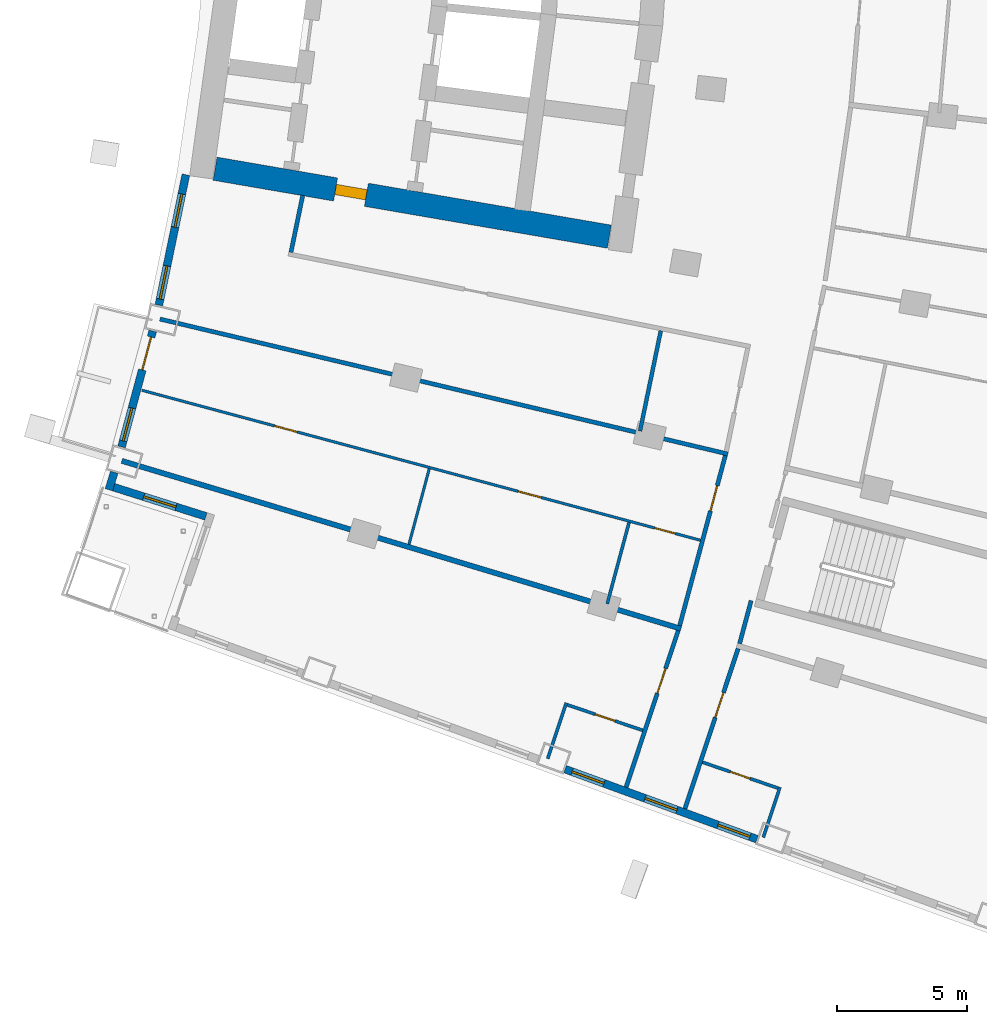
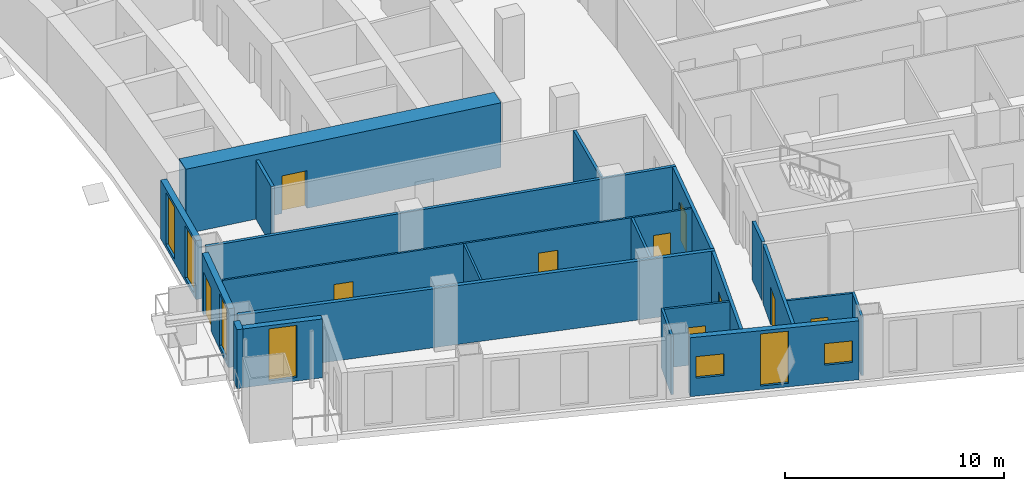
# One storey, part 13 of 25: 21 walls, 10 doors, 7 windows, 17 openings.
"""IFC4 building model written with IfcOpenShell, lengths in metres."""

from ifc_helpers import new_model, si_unit, direction, frame, frame_2d, origin, place, context, subcontext, project, spatial, rectangle, extrude, material, layer, layer_set, type_object, element, fill, save


model = new_model("IFC4")

# Units and contexts
model_context = context("Model", 3, precision=1e-05, world=origin(), true_north=direction((0.0, 1.0)))
body_context = subcontext(model_context, "Body", "Model", "MODEL_VIEW")
ifc_project = project(units=[si_unit("LENGTHUNIT", "METRE"), si_unit("AREAUNIT", "SQUARE_METRE"), si_unit("VOLUMEUNIT", "CUBIC_METRE"), si_unit("PLANEANGLEUNIT", "RADIAN"), si_unit("MASSUNIT", "GRAM", prefix="KILO")], contexts=[model_context])

# Site, building, storey
site_placement = place(None, origin())
site = spatial("IfcSite", under=ifc_project, at=site_placement, CompositionType="ELEMENT")
building_placement = place(site_placement, origin())
building = spatial("IfcBuilding", under=site, at=building_placement, Name="Alderwake Tower", CompositionType="ELEMENT")
storey_placement = place(building_placement, frame((0.0, 0.0, 60.800048828125)))
storey = spatial("IfcBuildingStorey", under=building, at=storey_placement, Name="L14", CompositionType="ELEMENT", Elevation=60.800048828125)

# Wall, opening, door
ifc_material_1 = material(Name="Concrete C70/85", Category="concrete")
ifc_layer_1 = layer(ifc_material_1, 0.89990234375)
ifc_layer_set_1 = layer_set([ifc_layer_1], Name="Core wall outer 900 C70-85")
wall_type_1 = type_object("IfcWallType", Name="Core wall outer 900 C70-85", PredefinedType="SHEAR", material=ifc_layer_set_1)
wall_1_placement = place(storey_placement, frame((31.11328125, 41.846923828125, 0.0), z_axis=(0.0, 0.0, 1.0), x_axis=(-0.985466640605, 0.169869067972, 0.0)))
wall_1 = element("IfcWall", 1, at=wall_1_placement, inside=storey, type_object=wall_type_1, Name="Core wall CW.070", PredefinedType="SHEAR", context=body_context, shape_type="SweptSolid", body=[
    extrude(rectangle(XDim=15.336669921875, YDim=0.89990234375, at=frame_2d((7.66845703125, 0.0))), origin(), (0.0, 0.0, 1.0), 3.599853515625),
])
opening_1_placement = place(wall_1_placement, frame((9.451904296875, 0.0, 0.0)))
opening_1 = element("IfcOpeningElement", 2, at=opening_1_placement, cuts=wall_1, Name="Opening C003", PredefinedType="OPENING", context=body_context, shape_type="SweptSolid", body=[
    extrude(rectangle(XDim=1.199951171875, YDim=2.10009765625, at=frame_2d((0.60009765625, 1.050048828125))), frame((0.0, 0.4599609375, 0.0), z_axis=(0.0, -1.0, 0.0), x_axis=(1.0, 0.0, 0.0)), (0.0, 0.0, 1.0), 0.919921875),
])
ifc_material_2 = material(Name="Steel-framed fire door leaf", Category="steel")
door_type_1 = type_object("IfcDoorType", Name="Core lobby exit door 1200 fire-rated", OperationType="SINGLE_SWING_LEFT", PredefinedType="DOOR", material=ifc_material_2)
door_1_placement = place(opening_1_placement, origin())
door_1 = element("IfcDoor", 3, at=door_1_placement, inside=storey, type_object=door_type_1, Name="Lobby door", OperationType="SINGLE_SWING_LEFT", OverallHeight=2.10009765625, OverallWidth=1.199951171875, PredefinedType="DOOR", context=body_context, shape_type="SweptSolid", body=[
    extrude(rectangle(XDim=1.199951171875, YDim=2.10009765625, at=frame_2d((0.60009765625, 1.050048828125))), frame((0.0, 0.199951171875, 0.0), z_axis=(0.0, -1.0, 0.0), x_axis=(1.0, 0.0, 0.0)), (0.0, 0.0, 1.0), 0.39990234375),
])
fill(opening_1, door_1)

# Walls
ifc_material_3 = material(Name="Gypsum board on metal studs, rated")
ifc_layer_2 = layer(ifc_material_3, 0.159912109375)
ifc_layer_set_2 = layer_set([ifc_layer_2], Name="Corridor wall 160")
wall_type_2 = type_object("IfcWallType", Name="Corridor wall 160", PredefinedType="PARTITIONING", material=ifc_layer_set_2)
wall_2_placement = place(storey_placement, frame((13.884033203125, 38.68798828125, 0.0), z_axis=(0.0, 0.0, 1.0), x_axis=(0.972893462073, -0.231253781493, 0.0)))
element("IfcWall", 4, at=wall_2_placement, inside=storey, type_object=wall_type_2, Name="WL/L14/W13", PredefinedType="PARTITIONING", context=body_context, shape_type="SweptSolid", body=[
    extrude(rectangle(XDim=22.38037109375, YDim=0.159912109375, at=frame_2d((11.190185546875, 0.0))), origin(), (0.0, 0.0, 1.0), 3.280029296875),
])
wall_3_placement = place(storey_placement, frame((19.35888671875, 43.430908203125, 0.0), z_axis=(0.0, 0.0, 1.0), x_axis=(-0.202554916658, -0.979270905183, 0.0)))
element("IfcWall", 5, at=wall_3_placement, inside=storey, type_object=wall_type_2, Name="WL/L14/W16", PredefinedType="PARTITIONING", context=body_context, shape_type="SweptSolid", body=[
    extrude(rectangle(XDim=2.229736328125, YDim=0.159912109375, at=frame_2d((1.11474609375, 0.0))), origin(), (0.0, 0.0, 1.0), 3.280029296875),
])

# Wall, opening, door
wall_4_placement = place(storey_placement, frame((31.7548828125, 20.739013671875, 0.0), z_axis=(0.0, 0.0, 1.0), x_axis=(0.31554473692, 0.948910701279, 0.0)))
wall_4 = element("IfcWall", 6, at=wall_4_placement, inside=storey, type_object=wall_type_2, Name="WL/L14/W18", PredefinedType="PARTITIONING", context=body_context, shape_type="SweptSolid", body=[
    extrude(rectangle(XDim=6.327392578125, YDim=0.159912109375, at=frame_2d((3.16357421875, 0.0))), origin(), (0.0, 0.0, 1.0), 3.280029296875),
])
opening_2_placement = place(wall_4_placement, frame((3.799072265625, 0.0, 0.0)))
opening_2 = element("IfcOpeningElement", 7, at=opening_2_placement, cuts=wall_4, Name="Opening R03-U09.1", PredefinedType="OPENING", context=body_context, shape_type="SweptSolid", body=[
    extrude(rectangle(XDim=1.0, YDim=2.10009765625, at=frame_2d((0.5, 1.050048828125))), frame((0.0, 0.08984375, 0.0), z_axis=(0.0, -1.0, 0.0), x_axis=(1.0, 0.0, 0.0)), (0.0, 0.0, 1.0), 0.179931640625),
])
ifc_material_4 = material(Name="Solid timber leaf in steel frame", Category="steel")
door_type_2 = type_object("IfcDoorType", Name="Flat entrance door 1000 fire-rated", OperationType="SINGLE_SWING_LEFT", PredefinedType="DOOR", material=ifc_material_4)
door_2_placement = place(opening_2_placement, origin())
door_2 = element("IfcDoor", 8, at=door_2_placement, inside=storey, type_object=door_type_2, Name="DR/L14/U09.1", OperationType="SINGLE_SWING_LEFT", OverallHeight=2.10009765625, OverallWidth=1.0, PredefinedType="DOOR", context=body_context, shape_type="SweptSolid", body=[
    extrude(rectangle(XDim=1.0, YDim=2.10009765625, at=frame_2d((0.5, 1.050048828125))), frame((0.0, 0.02490234375, 0.0), z_axis=(0.0, -1.0, 0.0), x_axis=(1.0, 0.0, 0.0)), (0.0, 0.0, 1.0), 0.050048828125),
])
fill(opening_2, door_2)

wall_5_placement = place(storey_placement, frame((33.808837890625, 26.9345703125, 0.0), z_axis=(0.0, 0.0, 1.0), x_axis=(0.259298911818, 0.965797118618, 0.0)))
wall_5 = element("IfcWall", 9, at=wall_5_placement, inside=storey, type_object=wall_type_2, Name="WL/L14/W19", PredefinedType="PARTITIONING", context=body_context, shape_type="SweptSolid", body=[
    extrude(rectangle(XDim=6.75, YDim=0.159912109375, at=frame_2d((3.375, 0.0))), origin(), (0.0, 0.0, 1.0), 3.280029296875),
])
opening_3_placement = place(wall_5_placement, frame((4.5576171875, 0.0, 0.0)))
opening_3 = element("IfcOpeningElement", 10, at=opening_3_placement, cuts=wall_5, Name="Opening R03-U10.2", PredefinedType="OPENING", context=body_context, shape_type="SweptSolid", body=[
    extrude(rectangle(XDim=1.0, YDim=2.10009765625, at=frame_2d((0.5, 1.050048828125))), frame((0.0, 0.08984375, 0.0), z_axis=(0.0, -1.0, 0.0), x_axis=(1.0, 0.0, 0.0)), (0.0, 0.0, 1.0), 0.179931640625),
])
door_3_placement = place(opening_3_placement, origin())
door_3 = element("IfcDoor", 11, at=door_3_placement, inside=storey, type_object=door_type_2, Name="DR/L14/U10.2", OperationType="SINGLE_SWING_LEFT", OverallHeight=2.10009765625, OverallWidth=1.0, PredefinedType="DOOR", context=body_context, shape_type="SweptSolid", body=[
    extrude(rectangle(XDim=1.0, YDim=2.10009765625, at=frame_2d((0.5, 1.050048828125))), frame((0.0, 0.02490234375, 0.0), z_axis=(0.0, -1.0, 0.0), x_axis=(1.0, 0.0, 0.0)), (0.0, 0.0, 1.0), 0.050048828125),
])
fill(opening_3, door_3)

wall_6_placement = place(storey_placement, frame((36.049560546875, 26.052978515625, 0.0), z_axis=(0.0, 0.0, 1.0), x_axis=(-0.315151894598, -0.949041244273, 0.0)))
wall_6 = element("IfcWall", 12, at=wall_6_placement, inside=storey, type_object=wall_type_2, Name="WL/L14/W21", PredefinedType="PARTITIONING", context=body_context, shape_type="SweptSolid", body=[
    extrude(rectangle(XDim=6.468505859375, YDim=0.159912109375, at=frame_2d((3.234375, 0.0))), origin(), (0.0, 0.0, 1.0), 3.280029296875),
])
opening_4_placement = place(wall_6_placement, frame((1.7822265625, 0.0, 0.0)))
opening_4 = element("IfcOpeningElement", 13, at=opening_4_placement, cuts=wall_6, Name="Opening R03-U03.1", PredefinedType="OPENING", context=body_context, shape_type="SweptSolid", body=[
    extrude(rectangle(XDim=1.0, YDim=2.10009765625, at=frame_2d((0.5, 1.050048828125))), frame((0.0, 0.08984375, 0.0), z_axis=(0.0, -1.0, 0.0), x_axis=(1.0, 0.0, 0.0)), (0.0, 0.0, 1.0), 0.179931640625),
])
door_4_placement = place(opening_4_placement, origin())
door_4 = element("IfcDoor", 14, at=door_4_placement, inside=storey, type_object=door_type_2, Name="DR/L14/U03.1", OperationType="SINGLE_SWING_LEFT", OverallHeight=2.10009765625, OverallWidth=1.0, PredefinedType="DOOR", context=body_context, shape_type="SweptSolid", body=[
    extrude(rectangle(XDim=1.0, YDim=2.10009765625, at=frame_2d((0.5, 1.050048828125))), frame((0.0, 0.02490234375, 0.0), z_axis=(0.0, -1.0, 0.0), x_axis=(1.0, 0.0, 0.0)), (0.0, 0.0, 1.0), 0.050048828125),
])
fill(opening_4, door_4)

# Walls
wall_7_placement = place(storey_placement, frame((36.10693359375, 26.24462890625, 0.0), z_axis=(0.0, 0.0, 1.0), x_axis=(0.259346865847, 0.965784242559, 0.0)))
element("IfcWall", 15, at=wall_7_placement, inside=storey, type_object=wall_type_2, Name="WL/L14/W24", PredefinedType="PARTITIONING", context=body_context, shape_type="SweptSolid", body=[
    extrude(rectangle(XDim=1.704833984375, YDim=0.159912109375, at=frame_2d((0.8525390625, 0.0))), origin(), (0.0, 0.0, 1.0), 3.280029296875),
])
ifc_material_5 = material(Name="Precast concrete C50/60 spandrel panel", Category="concrete")
ifc_layer_3 = layer(ifc_material_5, 0.300048828125)
ifc_layer_set_3 = layer_set([ifc_layer_3], Name="External wall EW1 Precast concrete C50/60 spandrel")
wall_type_3 = type_object("IfcWallType", Name="External wall EW1 Precast concrete C50/60 spandrel", PredefinedType="SOLIDWALL", material=ifc_layer_set_3)
wall_8_placement = place(storey_placement, frame((12.1328125, 32.814453125, 0.0), z_axis=(0.0, 0.0, 1.0), x_axis=(-0.294671831364, -0.955598509731, 0.0)))
element("IfcWall", 16, at=wall_8_placement, inside=storey, type_object=wall_type_3, Name="External wall 1", PredefinedType="SOLIDWALL", context=body_context, shape_type="SweptSolid", body=[
    extrude(rectangle(XDim=0.70263671875, YDim=0.300048828125, at=frame_2d((0.351318359375, 0.0))), origin(), (0.0, 0.0, 1.0), 3.280029296875),
])

# Wall, openings, windows
wall_9_placement = place(storey_placement, frame((14.878173828125, 44.223388671875, 0.0), z_axis=(0.0, 0.0, 1.0), x_axis=(-0.202738354746, -0.979232944459, 0.0)))
wall_9 = element("IfcWall", 17, at=wall_9_placement, inside=storey, type_object=wall_type_3, Name="External wall 35", PredefinedType="SOLIDWALL", context=body_context, shape_type="SweptSolid", body=[
    extrude(rectangle(XDim=5.1083984375, YDim=0.300048828125, at=frame_2d((2.55419921875, 0.0))), origin(), (0.0, 0.0, 1.0), 3.280029296875),
])
opening_5_placement = place(wall_9_placement, frame((0.75634765625, 0.0, 0.199951171875)))
opening_5 = element("IfcOpeningElement", 18, at=opening_5_placement, cuts=wall_9, Name="Opening W1", PredefinedType="OPENING", context=body_context, shape_type="SweptSolid", body=[
    extrude(rectangle(XDim=1.300048828125, YDim=2.89990234375, at=frame_2d((0.64990234375, 1.449951171875))), frame((0.0, 0.159912109375, 0.0), z_axis=(0.0, -1.0, 0.0), x_axis=(1.0, 0.0, 0.0)), (0.0, 0.0, 1.0), 0.320068359375),
])
opening_6_placement = place(wall_9_placement, frame((3.569091796875, 0.0, 0.199951171875)))
opening_6 = element("IfcOpeningElement", 19, at=opening_6_placement, cuts=wall_9, Name="Opening W1", PredefinedType="OPENING", context=body_context, shape_type="SweptSolid", body=[
    extrude(rectangle(XDim=1.300048828125, YDim=2.89990234375, at=frame_2d((0.64990234375, 1.449951171875))), frame((0.0, 0.159912109375, 0.0), z_axis=(0.0, -1.0, 0.0), x_axis=(1.0, 0.0, 0.0)), (0.0, 0.0, 1.0), 0.320068359375),
])
ifc_material_6 = material(Name="Bronze tinted glass in aluminium frame", Category="aluminium")
window_type_1 = type_object("IfcWindowType", Name="Window W1 tall fixed and vent", PartitioningType="DOUBLE_PANEL_VERTICAL", PredefinedType="WINDOW", material=ifc_material_6)
window_1_placement = place(opening_5_placement, origin())
window_1 = element("IfcWindow", 20, at=window_1_placement, inside=storey, type_object=window_type_1, Name="Window W1 tall fixed and vent", OverallHeight=2.89990234375, OverallWidth=1.300048828125, PartitioningType="DOUBLE_PANEL_VERTICAL", PredefinedType="WINDOW", context=body_context, shape_type="SweptSolid", body=[
    extrude(rectangle(XDim=1.300048828125, YDim=2.89990234375, at=frame_2d((0.64990234375, 1.449951171875))), frame((0.0, 0.030029296875, 0.0), z_axis=(0.0, -1.0, 0.0), x_axis=(1.0, 0.0, 0.0)), (0.0, 0.0, 1.0), 0.06005859375),
])
fill(opening_5, window_1)
window_2_placement = place(opening_6_placement, origin())
window_2 = element("IfcWindow", 21, at=window_2_placement, inside=storey, type_object=window_type_1, Name="Window W1 tall fixed and vent", OverallHeight=2.89990234375, OverallWidth=1.300048828125, PartitioningType="DOUBLE_PANEL_VERTICAL", PredefinedType="WINDOW", context=body_context, shape_type="SweptSolid", body=[
    extrude(rectangle(XDim=1.300048828125, YDim=2.89990234375, at=frame_2d((0.64990234375, 1.449951171875))), frame((0.0, 0.030029296875, 0.0), z_axis=(0.0, -1.0, 0.0), x_axis=(1.0, 0.0, 0.0)), (0.0, 0.0, 1.0), 0.06005859375),
])
fill(opening_6, window_2)

# Wall, openings, door, window
wall_10_placement = place(storey_placement, frame((13.606689453125, 38.229248046875, 0.0), z_axis=(0.0, 0.0, 1.0), x_axis=(-0.259495671332, -0.965744270788, 0.0)))
wall_10 = element("IfcWall", 22, at=wall_10_placement, inside=storey, type_object=wall_type_3, Name="External wall 36", PredefinedType="SOLIDWALL", context=body_context, shape_type="SweptSolid", body=[
    extrude(rectangle(XDim=4.599609375, YDim=0.300048828125, at=frame_2d((2.2998046875, 0.0))), origin(), (0.0, 0.0, 1.0), 3.280029296875),
])
opening_7_placement = place(wall_10_placement, frame((0.2412109375, 0.0, 0.0)))
opening_7 = element("IfcOpeningElement", 23, at=opening_7_placement, cuts=wall_10, Name="Opening D15", PredefinedType="OPENING", context=body_context, shape_type="SweptSolid", body=[
    extrude(rectangle(XDim=1.300048828125, YDim=2.39990234375, at=frame_2d((0.64990234375, 1.199951171875))), frame((0.0, 0.159912109375, 0.0), z_axis=(0.0, -1.0, 0.0), x_axis=(1.0, 0.0, 0.0)), (0.0, 0.0, 1.0), 0.320068359375),
])
opening_8_placement = place(wall_10_placement, frame((3.058349609375, 0.0, 0.199951171875)))
opening_8 = element("IfcOpeningElement", 24, at=opening_8_placement, cuts=wall_10, Name="Opening W1", PredefinedType="OPENING", context=body_context, shape_type="SweptSolid", body=[
    extrude(rectangle(XDim=1.300048828125, YDim=2.89990234375, at=frame_2d((0.64990234375, 1.449951171875))), frame((0.0, 0.159912109375, 0.0), z_axis=(0.0, -1.0, 0.0), x_axis=(1.0, 0.0, 0.0)), (0.0, 0.0, 1.0), 0.320068359375),
])
ifc_material_7 = material(Name="Bronze tinted glass in aluminium frame", Category="aluminium")
door_type_3 = type_object("IfcDoorType", Name="Balcony door BD sliding", OperationType="SLIDING_TO_LEFT", PredefinedType="DOOR", material=ifc_material_7)
door_5_placement = place(opening_7_placement, origin())
door_5 = element("IfcDoor", 25, at=door_5_placement, inside=storey, type_object=door_type_3, Name="Door D15", OperationType="SLIDING_TO_LEFT", OverallHeight=2.39990234375, OverallWidth=1.300048828125, PredefinedType="DOOR", context=body_context, shape_type="SweptSolid", body=[
    extrude(rectangle(XDim=1.300048828125, YDim=2.39990234375, at=frame_2d((0.64990234375, 1.199951171875))), frame((0.0, 0.02490234375, 0.0), z_axis=(0.0, -1.0, 0.0), x_axis=(1.0, 0.0, 0.0)), (0.0, 0.0, 1.0), 0.050048828125),
])
fill(opening_7, door_5)
window_3_placement = place(opening_8_placement, origin())
window_3 = element("IfcWindow", 26, at=window_3_placement, inside=storey, type_object=window_type_1, Name="Window W1 tall fixed and vent", OverallHeight=2.89990234375, OverallWidth=1.300048828125, PartitioningType="DOUBLE_PANEL_VERTICAL", PredefinedType="WINDOW", context=body_context, shape_type="SweptSolid", body=[
    extrude(rectangle(XDim=1.300048828125, YDim=2.89990234375, at=frame_2d((0.64990234375, 1.449951171875))), frame((0.0, 0.030029296875, 0.0), z_axis=(0.0, -1.0, 0.0), x_axis=(1.0, 0.0, 0.0)), (0.0, 0.0, 1.0), 0.06005859375),
])
fill(opening_8, window_3)

# Wall, opening, window
ifc_material_8 = material(Name="Bronze metal cladding on lightweight framing")
ifc_layer_4 = layer(ifc_material_8, 0.300048828125)
ifc_layer_set_4 = layer_set([ifc_layer_4], Name="External wall EW2 bronze metal cladding")
wall_type_4 = type_object("IfcWallType", Name="External wall EW2 bronze metal cladding", PredefinedType="SOLIDWALL", material=ifc_layer_set_4)
wall_11_placement = place(storey_placement, frame((12.113037109375, 32.2412109375, 0.0), z_axis=(0.0, 0.0, 1.0), x_axis=(0.953458128271, -0.301525451054, 0.0)))
wall_11 = element("IfcWall", 27, at=wall_11_placement, inside=storey, type_object=wall_type_4, Name="External wall 2", PredefinedType="SOLIDWALL", context=body_context, shape_type="SweptSolid", body=[
    extrude(rectangle(XDim=3.705810546875, YDim=0.300048828125, at=frame_2d((1.85302734375, 0.0))), origin(), (0.0, 0.0, 1.0), 3.280029296875),
])
opening_9_placement = place(wall_11_placement, frame((1.202880859375, 0.0, 0.199951171875)))
opening_9 = element("IfcOpeningElement", 28, at=opening_9_placement, cuts=wall_11, Name="Opening W1", PredefinedType="OPENING", context=body_context, shape_type="SweptSolid", body=[
    extrude(rectangle(XDim=1.300048828125, YDim=2.89990234375, at=frame_2d((0.64990234375, 1.449951171875))), frame((0.0, 0.159912109375, 0.0), z_axis=(0.0, -1.0, 0.0), x_axis=(1.0, 0.0, 0.0)), (0.0, 0.0, 1.0), 0.320068359375),
])
window_4_placement = place(opening_9_placement, origin())
window_4 = element("IfcWindow", 29, at=window_4_placement, inside=storey, type_object=window_type_1, Name="Window W1 tall fixed and vent", OverallHeight=2.89990234375, OverallWidth=1.300048828125, PartitioningType="DOUBLE_PANEL_VERTICAL", PredefinedType="WINDOW", context=body_context, shape_type="SweptSolid", body=[
    extrude(rectangle(XDim=1.300048828125, YDim=2.89990234375, at=frame_2d((0.64990234375, 1.449951171875))), frame((0.0, 0.030029296875, 0.0), z_axis=(0.0, -1.0, 0.0), x_axis=(1.0, 0.0, 0.0)), (0.0, 0.0, 1.0), 0.06005859375),
])
fill(opening_9, window_4)

# Wall, openings, windows
wall_12_placement = place(storey_placement, frame((29.416748046875, 21.432373046875, 0.0), z_axis=(0.0, 0.0, 1.0), x_axis=(0.939370235271, -0.34290459473, 0.0)))
wall_12 = element("IfcWall", 30, at=wall_12_placement, inside=storey, type_object=wall_type_4, Name="External wall 6", PredefinedType="SOLIDWALL", context=body_context, shape_type="SweptSolid", body=[
    extrude(rectangle(XDim=7.828857421875, YDim=0.300048828125, at=frame_2d((3.91455078125, 0.0))), origin(), (0.0, 0.0, 1.0), 3.280029296875),
])
opening_10_placement = place(wall_12_placement, frame((0.28662109375, 0.0, 1.0)))
opening_10 = element("IfcOpeningElement", 31, at=opening_10_placement, cuts=wall_12, Name="Opening W2", PredefinedType="OPENING", context=body_context, shape_type="SweptSolid", body=[
    extrude(rectangle(XDim=1.300048828125, YDim=1.199951171875, at=frame_2d((0.64990234375, 0.60009765625))), frame((0.0, 0.159912109375, 0.0), z_axis=(0.0, -1.0, 0.0), x_axis=(1.0, 0.0, 0.0)), (0.0, 0.0, 1.0), 0.320068359375),
])
opening_11_placement = place(wall_12_placement, frame((3.264404296875, 0.0, 0.199951171875)))
opening_11 = element("IfcOpeningElement", 32, at=opening_11_placement, cuts=wall_12, Name="Opening W1", PredefinedType="OPENING", context=body_context, shape_type="SweptSolid", body=[
    extrude(rectangle(XDim=1.300048828125, YDim=2.89990234375, at=frame_2d((0.64990234375, 1.449951171875))), frame((0.0, 0.159912109375, 0.0), z_axis=(0.0, -1.0, 0.0), x_axis=(1.0, 0.0, 0.0)), (0.0, 0.0, 1.0), 0.320068359375),
])
opening_12_placement = place(wall_12_placement, frame((6.2421875, 0.0, 1.0)))
opening_12 = element("IfcOpeningElement", 33, at=opening_12_placement, cuts=wall_12, Name="Opening W2", PredefinedType="OPENING", context=body_context, shape_type="SweptSolid", body=[
    extrude(rectangle(XDim=1.300048828125, YDim=1.199951171875, at=frame_2d((0.64990234375, 0.60009765625))), frame((0.0, 0.159912109375, 0.0), z_axis=(0.0, -1.0, 0.0), x_axis=(1.0, 0.0, 0.0)), (0.0, 0.0, 1.0), 0.320068359375),
])
window_5_placement = place(opening_11_placement, origin())
window_5 = element("IfcWindow", 34, at=window_5_placement, inside=storey, type_object=window_type_1, Name="Window W1 tall fixed and vent", OverallHeight=2.89990234375, OverallWidth=1.300048828125, PartitioningType="DOUBLE_PANEL_VERTICAL", PredefinedType="WINDOW", context=body_context, shape_type="SweptSolid", body=[
    extrude(rectangle(XDim=1.300048828125, YDim=2.89990234375, at=frame_2d((0.64990234375, 1.449951171875))), frame((0.0, 0.030029296875, 0.0), z_axis=(0.0, -1.0, 0.0), x_axis=(1.0, 0.0, 0.0)), (0.0, 0.0, 1.0), 0.06005859375),
])
fill(opening_11, window_5)
ifc_material_9 = material(Name="Bronze tinted glass in aluminium frame", Category="aluminium")
window_type_2 = type_object("IfcWindowType", Name="Window W2 kitchen and bath", PartitioningType="SINGLE_PANEL", PredefinedType="WINDOW", material=ifc_material_9)
window_6_placement = place(opening_10_placement, origin())
window_6 = element("IfcWindow", 35, at=window_6_placement, inside=storey, type_object=window_type_2, Name="Window W2 kitchen and bath", OverallHeight=1.199951171875, OverallWidth=1.300048828125, PartitioningType="SINGLE_PANEL", PredefinedType="WINDOW", context=body_context, shape_type="SweptSolid", body=[
    extrude(rectangle(XDim=1.300048828125, YDim=1.199951171875, at=frame_2d((0.64990234375, 0.60009765625))), frame((0.0, 0.030029296875, 0.0), z_axis=(0.0, -1.0, 0.0), x_axis=(1.0, 0.0, 0.0)), (0.0, 0.0, 1.0), 0.06005859375),
])
fill(opening_10, window_6)
window_7_placement = place(opening_12_placement, origin())
window_7 = element("IfcWindow", 36, at=window_7_placement, inside=storey, type_object=window_type_2, Name="Window W2 kitchen and bath", OverallHeight=1.199951171875, OverallWidth=1.300048828125, PartitioningType="SINGLE_PANEL", PredefinedType="WINDOW", context=body_context, shape_type="SweptSolid", body=[
    extrude(rectangle(XDim=1.300048828125, YDim=1.199951171875, at=frame_2d((0.64990234375, 0.60009765625))), frame((0.0, 0.030029296875, 0.0), z_axis=(0.0, -1.0, 0.0), x_axis=(1.0, 0.0, 0.0)), (0.0, 0.0, 1.0), 0.06005859375),
])
fill(opening_12, window_7)

# Walls
ifc_material_10 = material(Name="Dense block masonry wall", Category="masonry")
ifc_layer_5 = layer(ifc_material_10, 0.199951171875)
ifc_layer_set_5 = layer_set([ifc_layer_5], Name="Party wall 200")
wall_type_5 = type_object("IfcWallType", Name="Party wall 200", PredefinedType="SOLIDWALL", material=ifc_layer_set_5)
wall_13_placement = place(storey_placement, frame((33.859619140625, 26.81494140625, 0.0), z_axis=(0.0, 0.0, 1.0), x_axis=(-0.95775179957, 0.287596054251, 0.0)))
element("IfcWall", 37, at=wall_13_placement, inside=storey, type_object=wall_type_5, Name="WL/L14/W01", PredefinedType="SOLIDWALL", context=body_context, shape_type="SweptSolid", body=[
    extrude(rectangle(XDim=22.382080078125, YDim=0.199951171875, at=frame_2d((11.19091796875, 0.0))), origin(), (0.0, 0.0, 1.0), 3.280029296875),
])
ifc_material_11 = material(Name="Gypsum shaft wall system, rated")
ifc_layer_6 = layer(ifc_material_11, 0.14990234375)
ifc_layer_set_6 = layer_set([ifc_layer_6], Name="Riser and shaft wall 150")
wall_type_6 = type_object("IfcWallType", Name="Riser and shaft wall 150", PredefinedType="PARTITIONING", material=ifc_layer_set_6)
wall_14_placement = place(storey_placement, frame((32.290283203125, 34.3955078125, 0.0), z_axis=(0.0, 0.0, 1.0), x_axis=(0.202568596204, 0.979268075571, 0.0)))
element("IfcWall", 38, at=wall_14_placement, inside=storey, type_object=wall_type_6, Name="WL/L14/W09", PredefinedType="PARTITIONING", context=body_context, shape_type="SweptSolid", body=[
    extrude(rectangle(XDim=3.926513671875, YDim=0.14990234375, at=frame_2d((1.96337890625, 0.0))), origin(), (0.0, 0.0, 1.0), 3.280029296875),
])

# Wall, openings, doors
ifc_material_12 = material(Name="Gypsum board on metal studs")
ifc_layer_7 = layer(ifc_material_12, 0.10009765625)
ifc_layer_set_7 = layer_set([ifc_layer_7], Name="Unit partition 100")
wall_type_7 = type_object("IfcWallType", Name="Unit partition 100", PredefinedType="PARTITIONING", material=ifc_layer_set_7)
wall_15_placement = place(storey_placement, frame((34.605712890625, 30.206787109375, 0.0), z_axis=(0.0, 0.0, 1.0), x_axis=(-0.965767846078, 0.259407917152, 0.0)))
wall_15 = element("IfcWall", 39, at=wall_15_placement, inside=storey, type_object=wall_type_7, Name="WL/L14/W64", PredefinedType="PARTITIONING", context=body_context, shape_type="SweptSolid", body=[
    extrude(rectangle(XDim=22.170654296875, YDim=0.10009765625, at=frame_2d((11.08544921875, 0.0))), origin(), (0.0, 0.0, 1.0), 3.280029296875),
])
opening_13_placement = place(wall_15_placement, frame((6.335205078125, 0.0, 0.0)))
opening_13 = element("IfcOpeningElement", 40, at=opening_13_placement, cuts=wall_15, Name="Opening R03-U10.1", PredefinedType="OPENING", context=body_context, shape_type="SweptSolid", body=[
    extrude(rectangle(XDim=0.89990234375, YDim=2.10009765625, at=frame_2d((0.449951171875, 1.050048828125))), frame((0.0, 0.06005859375, 0.0), z_axis=(0.0, -1.0, 0.0), x_axis=(1.0, 0.0, 0.0)), (0.0, 0.0, 1.0), 0.1201171875),
])
opening_14_placement = place(wall_15_placement, frame((1.010009765625, 0.0, 0.0)))
opening_14 = element("IfcOpeningElement", 41, at=opening_14_placement, cuts=wall_15, Name="Opening R03-U10.3", PredefinedType="OPENING", context=body_context, shape_type="SweptSolid", body=[
    extrude(rectangle(XDim=0.800048828125, YDim=2.10009765625, at=frame_2d((0.39990234375, 1.050048828125))), frame((0.0, 0.06005859375, 0.0), z_axis=(0.0, -1.0, 0.0), x_axis=(1.0, 0.0, 0.0)), (0.0, 0.0, 1.0), 0.1201171875),
])
opening_15_placement = place(wall_15_placement, frame((16.010498046875, 0.0, 0.0)))
opening_15 = element("IfcOpeningElement", 42, at=opening_15_placement, cuts=wall_15, Name="Opening R03-U10.4", PredefinedType="OPENING", context=body_context, shape_type="SweptSolid", body=[
    extrude(rectangle(XDim=0.89990234375, YDim=2.10009765625, at=frame_2d((0.449951171875, 1.050048828125))), frame((0.0, 0.06005859375, 0.0), z_axis=(0.0, -1.0, 0.0), x_axis=(1.0, 0.0, 0.0)), (0.0, 0.0, 1.0), 0.1201171875),
])
ifc_material_13 = material(Name="Painted timber leaf", Category="wood")
door_type_4 = type_object("IfcDoorType", Name="Bathroom door 800", OperationType="SINGLE_SWING_LEFT", PredefinedType="DOOR", material=ifc_material_13)
door_6_placement = place(opening_14_placement, origin())
door_6 = element("IfcDoor", 43, at=door_6_placement, inside=storey, type_object=door_type_4, Name="DR/L14/U10.3", OperationType="SINGLE_SWING_LEFT", OverallHeight=2.10009765625, OverallWidth=0.800048828125, PredefinedType="DOOR", context=body_context, shape_type="SweptSolid", body=[
    extrude(rectangle(XDim=0.800048828125, YDim=2.10009765625, at=frame_2d((0.39990234375, 1.050048828125))), frame((0.0, 0.02490234375, 0.0), z_axis=(0.0, -1.0, 0.0), x_axis=(1.0, 0.0, 0.0)), (0.0, 0.0, 1.0), 0.050048828125),
])
fill(opening_14, door_6)
ifc_material_14 = material(Name="Painted timber leaf", Category="wood")
door_type_5 = type_object("IfcDoorType", Name="Room door 900", OperationType="SINGLE_SWING_LEFT", PredefinedType="DOOR", material=ifc_material_14)
door_7_placement = place(opening_13_placement, origin())
door_7 = element("IfcDoor", 44, at=door_7_placement, inside=storey, type_object=door_type_5, Name="DR/L14/U10.1", OperationType="SINGLE_SWING_LEFT", OverallHeight=2.10009765625, OverallWidth=0.89990234375, PredefinedType="DOOR", context=body_context, shape_type="SweptSolid", body=[
    extrude(rectangle(XDim=0.89990234375, YDim=2.10009765625, at=frame_2d((0.449951171875, 1.050048828125))), frame((0.0, 0.02490234375, 0.0), z_axis=(0.0, -1.0, 0.0), x_axis=(1.0, 0.0, 0.0)), (0.0, 0.0, 1.0), 0.050048828125),
])
fill(opening_13, door_7)
door_8_placement = place(opening_15_placement, origin())
door_8 = element("IfcDoor", 45, at=door_8_placement, inside=storey, type_object=door_type_5, Name="DR/L14/U10.4", OperationType="SINGLE_SWING_LEFT", OverallHeight=2.10009765625, OverallWidth=0.89990234375, PredefinedType="DOOR", context=body_context, shape_type="SweptSolid", body=[
    extrude(rectangle(XDim=0.89990234375, YDim=2.10009765625, at=frame_2d((0.449951171875, 1.050048828125))), frame((0.0, 0.02490234375, 0.0), z_axis=(0.0, -1.0, 0.0), x_axis=(1.0, 0.0, 0.0)), (0.0, 0.0, 1.0), 0.050048828125),
])
fill(opening_15, door_8)

# Walls
wall_16_placement = place(storey_placement, frame((24.208984375, 32.94580078125, 0.0), z_axis=(0.0, 0.0, 1.0), x_axis=(-0.259310212645, -0.965794084481, 0.0)))
element("IfcWall", 46, at=wall_16_placement, inside=storey, type_object=wall_type_7, Name="WL/L14/W65", PredefinedType="PARTITIONING", context=body_context, shape_type="SweptSolid", body=[
    extrude(rectangle(XDim=2.996826171875, YDim=0.10009765625, at=frame_2d((1.49853515625, 0.0))), origin(), (0.0, 0.0, 1.0), 3.280029296875),
])
ifc_material_15 = material(Name="Moisture resistant gypsum board on metal studs")
ifc_layer_8 = layer(ifc_material_15, 0.1201171875)
ifc_layer_set_8 = layer_set([ifc_layer_8], Name="Wet room partition 120")
wall_type_8 = type_object("IfcWallType", Name="Wet room partition 120", PredefinedType="PARTITIONING", material=ifc_layer_set_8)
wall_17_placement = place(storey_placement, frame((29.4609375, 23.975830078125, 0.0), z_axis=(0.0, 0.0, 1.0), x_axis=(-0.31580536125, -0.948823995168, 0.0)))
element("IfcWall", 47, at=wall_17_placement, inside=storey, type_object=wall_type_8, Name="WL/L14/W43", PredefinedType="PARTITIONING", context=body_context, shape_type="SweptSolid", body=[
    extrude(rectangle(XDim=2.25439453125, YDim=0.1201171875, at=frame_2d((1.127197265625, 0.0))), origin(), (0.0, 0.0, 1.0), 3.280029296875),
])
wall_18_placement = place(storey_placement, frame((31.867919921875, 30.8876953125, 0.0), z_axis=(0.0, 0.0, 1.0), x_axis=(-0.259149206489, -0.96583729933, 0.0)))
element("IfcWall", 48, at=wall_18_placement, inside=storey, type_object=wall_type_8, Name="WL/L14/W46", PredefinedType="PARTITIONING", context=body_context, shape_type="SweptSolid", body=[
    extrude(rectangle(XDim=3.2294921875, YDim=0.1201171875, at=frame_2d((1.61474609375, 0.0))), origin(), (0.0, 0.0, 1.0), 3.280029296875),
])

# Wall, opening, door
wall_19_placement = place(storey_placement, frame((32.396240234375, 22.918701171875, 0.0), z_axis=(0.0, 0.0, 1.0), x_axis=(-0.947164130145, 0.320749295505, 0.0)))
wall_19 = element("IfcWall", 49, at=wall_19_placement, inside=storey, type_object=wall_type_8, Name="WL/L14/W47", PredefinedType="PARTITIONING", context=body_context, shape_type="SweptSolid", body=[
    extrude(rectangle(XDim=3.05908203125, YDim=0.1201171875, at=frame_2d((1.529541015625, 0.0))), origin(), (0.0, 0.0, 1.0), 3.280029296875),
])
opening_16_placement = place(wall_19_placement, frame((1.12939453125, 0.0, 0.0)))
opening_16 = element("IfcOpeningElement", 50, at=opening_16_placement, cuts=wall_19, Name="Opening R03-U09.2", PredefinedType="OPENING", context=body_context, shape_type="SweptSolid", body=[
    extrude(rectangle(XDim=0.800048828125, YDim=2.10009765625, at=frame_2d((0.39990234375, 1.050048828125))), frame((0.0, 0.070068359375, 0.0), z_axis=(0.0, -1.0, 0.0), x_axis=(1.0, 0.0, 0.0)), (0.0, 0.0, 1.0), 0.14013671875),
])
door_9_placement = place(opening_16_placement, origin())
door_9 = element("IfcDoor", 51, at=door_9_placement, inside=storey, type_object=door_type_4, Name="DR/L14/U09.2", OperationType="SINGLE_SWING_LEFT", OverallHeight=2.10009765625, OverallWidth=0.800048828125, PredefinedType="DOOR", context=body_context, shape_type="SweptSolid", body=[
    extrude(rectangle(XDim=0.800048828125, YDim=2.10009765625, at=frame_2d((0.39990234375, 1.050048828125))), frame((0.0, 0.02490234375, 0.0), z_axis=(0.0, -1.0, 0.0), x_axis=(1.0, 0.0, 0.0)), (0.0, 0.0, 1.0), 0.050048828125),
])
fill(opening_16, door_9)

# Wall
wall_20_placement = place(storey_placement, frame((37.01708984375, 18.819091796875, 0.0), z_axis=(0.0, 0.0, 1.0), x_axis=(0.314346849319, 0.949308199861, 0.0)))
element("IfcWall", 52, at=wall_20_placement, inside=storey, type_object=wall_type_8, Name="WL/L14/W49", PredefinedType="PARTITIONING", context=body_context, shape_type="SweptSolid", body=[
    extrude(rectangle(XDim=2.025634765625, YDim=0.1201171875, at=frame_2d((1.0126953125, 0.0))), origin(), (0.0, 0.0, 1.0), 3.280029296875),
])

# Wall, opening, door
wall_21_placement = place(storey_placement, frame((37.578125, 20.70458984375, 0.0), z_axis=(0.0, 0.0, 1.0), x_axis=(-0.945834581723, 0.324648955054, 0.0)))
wall_21 = element("IfcWall", 53, at=wall_21_placement, inside=storey, type_object=wall_type_8, Name="WL/L14/W50", PredefinedType="PARTITIONING", context=body_context, shape_type="SweptSolid", body=[
    extrude(rectangle(XDim=3.056884765625, YDim=0.1201171875, at=frame_2d((1.5283203125, 0.0))), origin(), (0.0, 0.0, 1.0), 3.280029296875),
])
opening_17_placement = place(wall_21_placement, frame((1.128662109375, 0.0, 0.0)))
opening_17 = element("IfcOpeningElement", 54, at=opening_17_placement, cuts=wall_21, Name="Opening R03-U03.2", PredefinedType="OPENING", context=body_context, shape_type="SweptSolid", body=[
    extrude(rectangle(XDim=0.800048828125, YDim=2.10009765625, at=frame_2d((0.39990234375, 1.050048828125))), frame((0.0, 0.070068359375, 0.0), z_axis=(0.0, -1.0, 0.0), x_axis=(1.0, 0.0, 0.0)), (0.0, 0.0, 1.0), 0.14013671875),
])
door_10_placement = place(opening_17_placement, origin())
door_10 = element("IfcDoor", 55, at=door_10_placement, inside=storey, type_object=door_type_4, Name="DR/L14/U03.2", OperationType="SINGLE_SWING_LEFT", OverallHeight=2.10009765625, OverallWidth=0.800048828125, PredefinedType="DOOR", context=body_context, shape_type="SweptSolid", body=[
    extrude(rectangle(XDim=0.800048828125, YDim=2.10009765625, at=frame_2d((0.39990234375, 1.050048828125))), frame((0.0, 0.02490234375, 0.0), z_axis=(0.0, -1.0, 0.0), x_axis=(1.0, 0.0, 0.0)), (0.0, 0.0, 1.0), 0.050048828125),
])
fill(opening_17, door_10)

save(model, "model.ifc")
